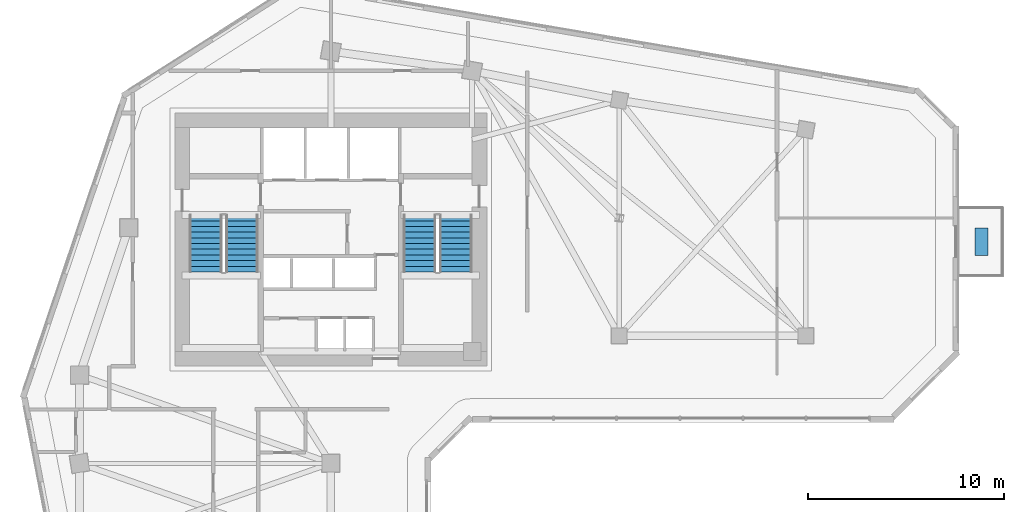
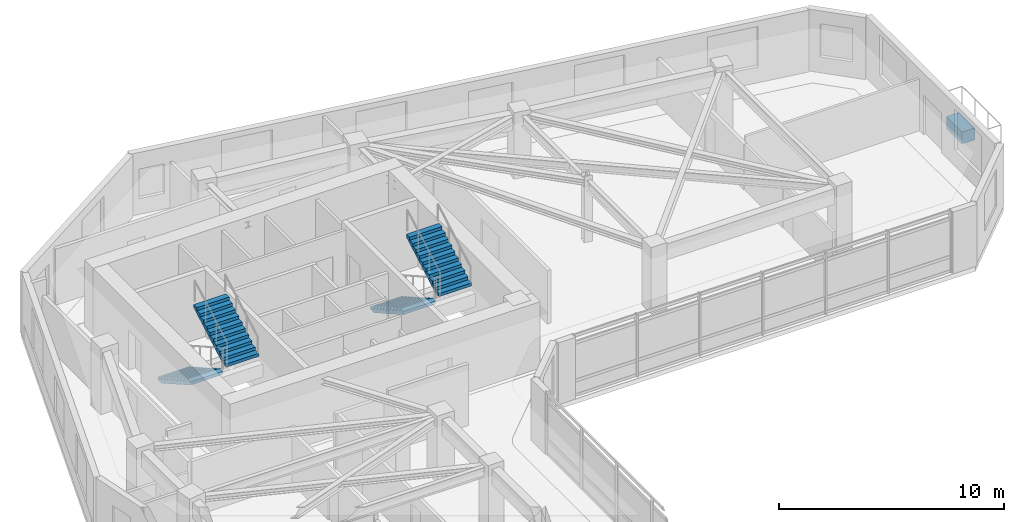
# One storey, part 8 of 13: 4 stair flights, 1 discrete accessory, 2 elements without a shape of their own.
"""IFC4 building model written with IfcOpenShell, lengths in metres."""

from ifc_helpers import new_model, si_unit, direction, frame, origin, origin_2d, place, context, subcontext, project, spatial, polyline, rectangle, outline, extrude, source, transform, mapped, material, type_object, element, aggregate, save


model = new_model("IFC4")

# Units and contexts
model_context = context("Model", 3, precision=1e-05, world=origin(), true_north=direction((0.0, 1.0)))
body_context = subcontext(model_context, "Body", "Model", "MODEL_VIEW")
ifc_project = project(units=[si_unit("LENGTHUNIT", "METRE"), si_unit("AREAUNIT", "SQUARE_METRE"), si_unit("VOLUMEUNIT", "CUBIC_METRE"), si_unit("PLANEANGLEUNIT", "RADIAN"), si_unit("MASSUNIT", "GRAM", prefix="KILO")], contexts=[model_context])

# Site, building, storey
site_placement = place(None, origin())
site = spatial("IfcSite", under=ifc_project, at=site_placement, CompositionType="ELEMENT")
building_placement = place(site_placement, origin())
building = spatial("IfcBuilding", under=site, at=building_placement, Name="Calvemar Wedge Station Tower", CompositionType="ELEMENT")
storey_placement = place(building_placement, frame((0.0, 0.0, 132.199951171875)))
storey = spatial("IfcBuildingStorey", under=building, at=storey_placement, Name="L32", CompositionType="ELEMENT", Elevation=132.199951171875)

# Stair, stair flights
ifc_material_1 = material(Name="Concrete C45", Category="concrete")
stair_type = type_object("IfcStairType", Name="ST-TYPE-3600", PredefinedType="HALF_TURN_STAIR", material=ifc_material_1)
stair_1_placement = place(storey_placement, origin())
stair_1 = element("IfcStair", 1, at=stair_1_placement, inside=storey, type_object=stair_type, Name="L32 Pressurized Core Exit Stair ST-C1", PredefinedType="HALF_TURN_STAIR")
stair_flight_type = type_object("IfcStairFlightType", Name="STF-TYPE-3600", PredefinedType="STRAIGHT", material=ifc_material_1)
stair_flight_1_placement = place(storey_placement, frame((17.429931640625, 41.14990234375, 0.0), z_axis=(0.0, 0.0, 1.0), x_axis=(0.0, -1.0, 0.0)))
stair_flight_1 = element("IfcStairFlight", 2, at=stair_flight_1_placement, type_object=stair_flight_type, Name="ST-C1 flight 1", NumberOfRisers=11, NumberOfTreads=10, PredefinedType="STRAIGHT", RiserHeight=0.163636364, TreadLength=0.29, context=body_context, shape_type="SweptSolid", body=[
    extrude(outline(polyline([(0.0, 0.0), (0.0, 0.16357421875), (0.2900390625, 0.16357421875), (0.2900390625, 0.327392578125), (0.580078125, 0.327392578125), (0.580078125, 0.490966796875), (0.8701171875, 0.490966796875), (0.8701171875, 0.654541015625), (1.159912109375, 0.654541015625), (1.159912109375, 0.818115234375), (1.449951171875, 0.818115234375), (1.449951171875, 0.98193359375), (1.739990234375, 0.98193359375), (1.739990234375, 1.1455078125), (2.030029296875, 1.1455078125), (2.030029296875, 1.30908203125), (2.320068359375, 1.30908203125), (2.320068359375, 1.47265625), (2.610107421875, 1.47265625), (2.610107421875, 1.636474609375), (2.89990234375, 1.636474609375), (2.89990234375, 1.800048828125), (2.89990234375, 1.46435546875), (0.304931640625, 0.0), (0.0, 0.0)])), frame((0.0, 0.830078125, 0.0), z_axis=(0.0, -1.0, 0.0), x_axis=(1.0, 0.0, 0.0)), (0.0, 0.0, 1.0), 1.659912109375),
])
stair_flight_2_placement = place(storey_placement, frame((19.27001953125, 38.25, 1.800048828125), z_axis=(0.0, 0.0, 1.0), x_axis=(0.0, 1.0, 0.0)))
stair_flight_2 = element("IfcStairFlight", 3, at=stair_flight_2_placement, type_object=stair_flight_type, Name="ST-C1 flight 2", NumberOfRisers=11, NumberOfTreads=10, PredefinedType="STRAIGHT", RiserHeight=0.163636364, TreadLength=0.29, context=body_context, shape_type="SweptSolid", body=[
    extrude(outline(polyline([(0.0, 0.0), (0.0, 0.16357421875), (0.2900390625, 0.16357421875), (0.2900390625, 0.327392578125), (0.580078125, 0.327392578125), (0.580078125, 0.490966796875), (0.8701171875, 0.490966796875), (0.8701171875, 0.654541015625), (1.159912109375, 0.654541015625), (1.159912109375, 0.818115234375), (1.449951171875, 0.818115234375), (1.449951171875, 0.98193359375), (1.739990234375, 0.98193359375), (1.739990234375, 1.1455078125), (2.030029296875, 1.1455078125), (2.030029296875, 1.30908203125), (2.320068359375, 1.30908203125), (2.320068359375, 1.47265625), (2.610107421875, 1.47265625), (2.610107421875, 1.636474609375), (2.89990234375, 1.636474609375), (2.89990234375, 1.800048828125), (2.89990234375, 1.46435546875), (0.304931640625, 0.0), (0.0, 0.0)])), frame((0.0, 0.830078125, 0.0), z_axis=(0.0, -1.0, 0.0), x_axis=(1.0, 0.0, 0.0)), (0.0, 0.0, 1.0), 1.659912109375),
])
aggregate(stair_1, [stair_flight_1, stair_flight_2])

stair_2_placement = place(storey_placement, origin())
stair_2 = element("IfcStair", 4, at=stair_2_placement, inside=storey, type_object=stair_type, Name="L32 Pressurized Core Exit Stair ST-C2", PredefinedType="HALF_TURN_STAIR")
stair_flight_3_placement = place(storey_placement, frame((28.330078125, 41.14990234375, 0.0), z_axis=(0.0, 0.0, 1.0), x_axis=(0.0, -1.0, 0.0)))
stair_flight_3 = element("IfcStairFlight", 5, at=stair_flight_3_placement, type_object=stair_flight_type, Name="ST-C2 flight 1", NumberOfRisers=11, NumberOfTreads=10, PredefinedType="STRAIGHT", RiserHeight=0.163636364, TreadLength=0.29, context=body_context, shape_type="SweptSolid", body=[
    extrude(outline(polyline([(0.0, 0.0), (0.0, 0.16357421875), (0.2900390625, 0.16357421875), (0.2900390625, 0.327392578125), (0.580078125, 0.327392578125), (0.580078125, 0.490966796875), (0.8701171875, 0.490966796875), (0.8701171875, 0.654541015625), (1.159912109375, 0.654541015625), (1.159912109375, 0.818115234375), (1.449951171875, 0.818115234375), (1.449951171875, 0.98193359375), (1.739990234375, 0.98193359375), (1.739990234375, 1.1455078125), (2.030029296875, 1.1455078125), (2.030029296875, 1.30908203125), (2.320068359375, 1.30908203125), (2.320068359375, 1.47265625), (2.610107421875, 1.47265625), (2.610107421875, 1.636474609375), (2.89990234375, 1.636474609375), (2.89990234375, 1.800048828125), (2.89990234375, 1.46435546875), (0.304931640625, 0.0), (0.0, 0.0)])), frame((0.0, 0.830078125, 0.0), z_axis=(0.0, -1.0, 0.0), x_axis=(1.0, 0.0, 0.0)), (0.0, 0.0, 1.0), 1.659912109375),
])
stair_flight_4_placement = place(storey_placement, frame((30.169921875, 38.25, 1.800048828125), z_axis=(0.0, 0.0, 1.0), x_axis=(0.0, 1.0, 0.0)))
stair_flight_4 = element("IfcStairFlight", 6, at=stair_flight_4_placement, type_object=stair_flight_type, Name="ST-C2 flight 2", NumberOfRisers=11, NumberOfTreads=10, PredefinedType="STRAIGHT", RiserHeight=0.163636364, TreadLength=0.29, context=body_context, shape_type="SweptSolid", body=[
    extrude(outline(polyline([(0.0, 0.0), (0.0, 0.16357421875), (0.2900390625, 0.16357421875), (0.2900390625, 0.327392578125), (0.580078125, 0.327392578125), (0.580078125, 0.490966796875), (0.8701171875, 0.490966796875), (0.8701171875, 0.654541015625), (1.159912109375, 0.654541015625), (1.159912109375, 0.818115234375), (1.449951171875, 0.818115234375), (1.449951171875, 0.98193359375), (1.739990234375, 0.98193359375), (1.739990234375, 1.1455078125), (2.030029296875, 1.1455078125), (2.030029296875, 1.30908203125), (2.320068359375, 1.30908203125), (2.320068359375, 1.47265625), (2.610107421875, 1.47265625), (2.610107421875, 1.636474609375), (2.89990234375, 1.636474609375), (2.89990234375, 1.800048828125), (2.89990234375, 1.46435546875), (0.304931640625, 0.0), (0.0, 0.0)])), frame((0.0, 0.830078125, 0.0), z_axis=(0.0, -1.0, 0.0), x_axis=(1.0, 0.0, 0.0)), (0.0, 0.0, 1.0), 1.659912109375),
])
aggregate(stair_2, [stair_flight_3, stair_flight_4])

# Discrete accessory
ifc_material_2 = material(Name="Precast concrete C45", Category="concrete")
discrete_accessory_type = type_object("IfcDiscreteAccessoryType", Name="ACC-PLANTER", PredefinedType="USERDEFINED", material=ifc_material_2)
shared_shape = source(origin(), body_context, "Body", "SweptSolid", [
    extrude(rectangle(XDim=0.64990234375, YDim=1.39990234375, at=origin_2d()), origin(), (0.0, 0.0, 1.0), 0.64990234375),
])
discrete_accessory_placement = place(storey_placement, frame((56.949951171875, 39.7919921875, 0.0), z_axis=(0.0, 0.0, 1.0), x_axis=(1.0, 0.0, 0.0)))
element("IfcDiscreteAccessory", 7, at=discrete_accessory_placement, inside=storey, type_object=discrete_accessory_type, Name="Storey L32 Planted Terrace GFRC Planter", ObjectType="PLANTER", PredefinedType="USERDEFINED", context=body_context, shape_type="MappedRepresentation", body=[
    mapped(shared_shape, transform((0.0, 0.0, 0.0), scale=1.0)),
])

save(model, "model.ifc")
